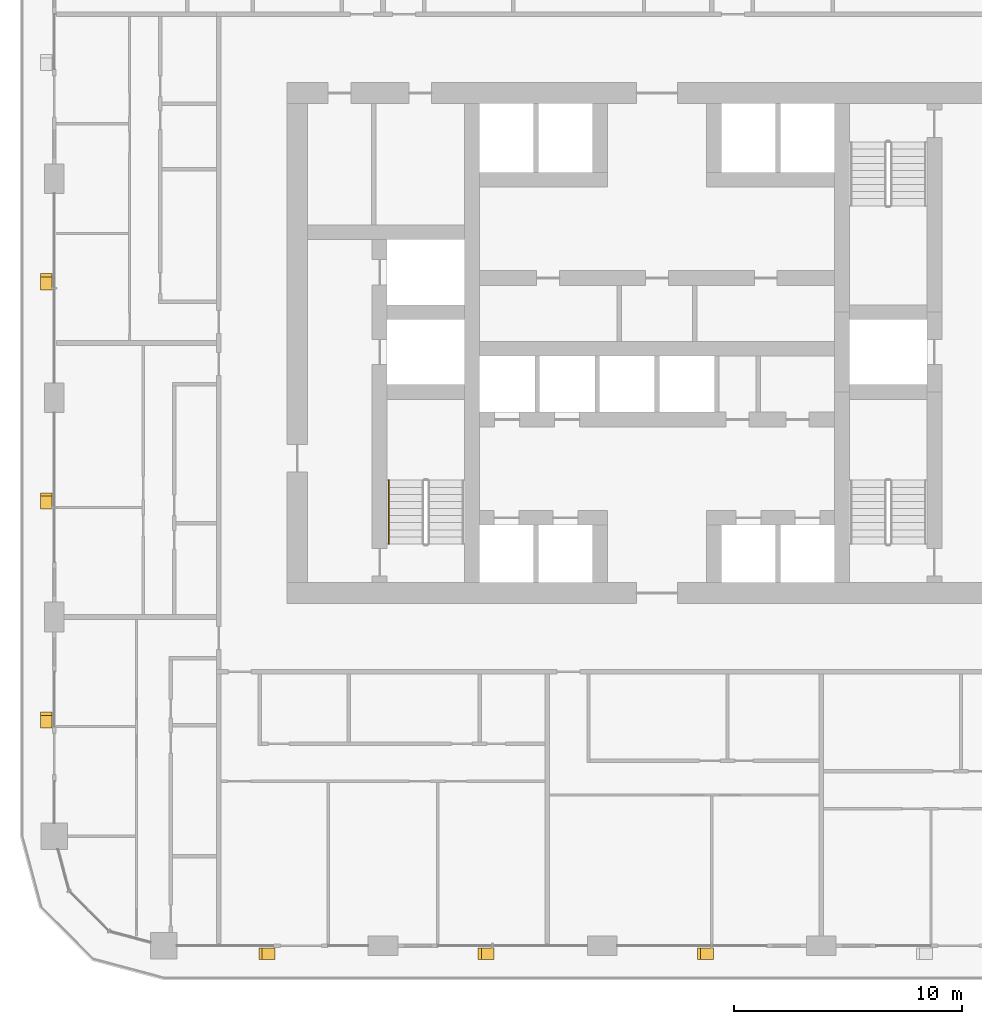
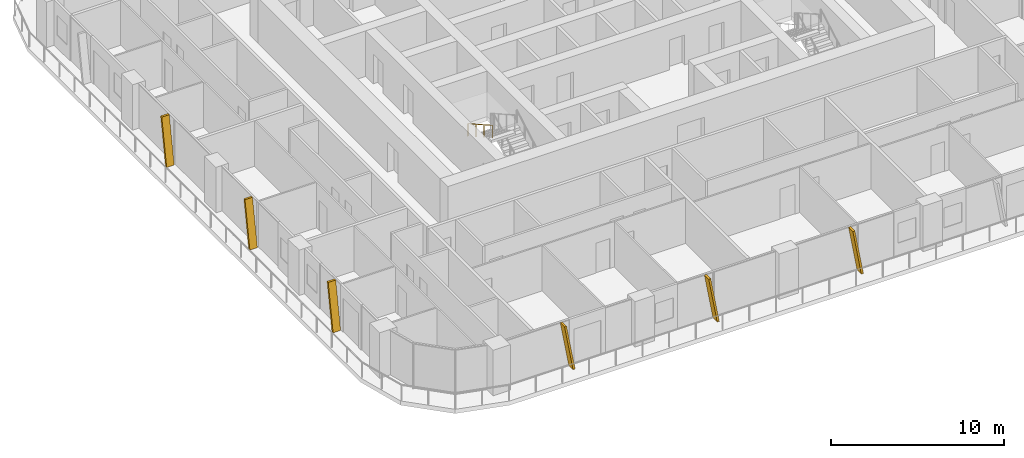
# One storey, part 17 of 22: 6 shading devices, 1 railing.
"""IFC4 building model written with IfcOpenShell, lengths in metres."""

from ifc_helpers import new_model, si_unit, direction, frame, origin, origin_2d, place, context, subcontext, project, spatial, polyline, circle, outline, extrude, material, type_object, element, save


model = new_model("IFC4")

# Units and contexts
model_context = context("Model", 3, precision=1e-05, world=origin(), true_north=direction((0.0, 1.0)))
body_context = subcontext(model_context, "Body", "Model", "MODEL_VIEW")
ifc_project = project(units=[si_unit("LENGTHUNIT", "METRE"), si_unit("AREAUNIT", "SQUARE_METRE"), si_unit("VOLUMEUNIT", "CUBIC_METRE"), si_unit("PLANEANGLEUNIT", "RADIAN"), si_unit("MASSUNIT", "GRAM", prefix="KILO")], contexts=[model_context])

# Site, building, storey
site_placement = place(None, origin())
site = spatial("IfcSite", under=ifc_project, at=site_placement, CompositionType="ELEMENT")
building_placement = place(site_placement, origin())
building = spatial("IfcBuilding", under=site, at=building_placement, Name="Madar Terraces", CompositionType="ELEMENT")
storey_placement = place(building_placement, frame((0.0, 0.0, 76.800048828125)))
storey = spatial("IfcBuildingStorey", under=building, at=storey_placement, Name="L19", CompositionType="ELEMENT", Elevation=76.800048828125)

# Shading devices
ifc_material_1 = material(Name="Aluminium, black anodised", Category="aluminium")
shading_device_type = type_object("IfcShadingDeviceType", Name="Facade fin blade 140 x 500", PredefinedType="USERDEFINED", material=ifc_material_1)
shading_device_1_placement = place(storey_placement, frame((14.330078125, -0.35009765625, 0.0), z_axis=(0.0, 0.0, 1.0), x_axis=(1.0, 0.0, 0.0)))
element("IfcShadingDevice", 1, at=shading_device_1_placement, inside=storey, type_object=shading_device_type, Name="FIN L19 S1", ObjectType="FIN", PredefinedType="USERDEFINED", context=body_context, shape_type="SweptSolid", body=[
    extrude(outline(polyline([(0.0, 0.0), (0.139892578125, 0.0), (-0.42431640625, 3.199951171875), (-0.564208984375, 3.199951171875), (0.0, 0.0)])), frame((0.0, 0.25, 0.0), z_axis=(0.0, -1.0, 0.0), x_axis=(1.0, 0.0, 0.0)), (0.0, 0.0, 1.0), 0.5),
])
shading_device_2_placement = place(storey_placement, frame((23.929931640625, -0.35009765625, 0.0), z_axis=(0.0, 0.0, 1.0), x_axis=(1.0, 0.0, 0.0)))
element("IfcShadingDevice", 2, at=shading_device_2_placement, inside=storey, type_object=shading_device_type, Name="FIN L19 S2", ObjectType="FIN", PredefinedType="USERDEFINED", context=body_context, shape_type="SweptSolid", body=[
    extrude(outline(polyline([(0.0, 0.0), (0.14013671875, 0.0), (-0.42431640625, 3.199951171875), (-0.564208984375, 3.199951171875), (0.0, 0.0)])), frame((0.0, 0.25, 0.0), z_axis=(0.0, -1.0, 0.0), x_axis=(1.0, 0.0, 0.0)), (0.0, 0.0, 1.0), 0.5),
])
shading_device_3_placement = place(storey_placement, frame((33.530029296875, -0.35009765625, 0.0), z_axis=(0.0, 0.0, 1.0), x_axis=(1.0, 0.0, 0.0)))
element("IfcShadingDevice", 3, at=shading_device_3_placement, inside=storey, type_object=shading_device_type, Name="FIN L19 S3", ObjectType="FIN", PredefinedType="USERDEFINED", context=body_context, shape_type="SweptSolid", body=[
    extrude(outline(polyline([(0.0, 0.0), (0.139892578125, 0.0), (-0.42431640625, 3.199951171875), (-0.564208984375, 3.199951171875), (0.0, 0.0)])), frame((0.0, 0.25, 0.0), z_axis=(0.0, -1.0, 0.0), x_axis=(1.0, 0.0, 0.0)), (0.0, 0.0, 1.0), 0.5),
])
for number, where, z_axis, x_axis, name in (
    (4, (4.449951171875, 28.8701171875, 0.0), (0.0, 0.0, 1.0), (0.0, -1.0, 0.0), "FIN L19 W2"),
    (5, (4.449951171875, 19.27001953125, 0.0), (0.0, 0.0, 1.0), (0.0, -1.0, 0.0), "FIN L19 W3"),
):
    element("IfcShadingDevice", number, at=place(storey_placement, frame(where, z_axis=z_axis, x_axis=x_axis)), inside=storey, type_object=shading_device_type, Name=name, ObjectType="FIN", PredefinedType="USERDEFINED", context=body_context, shape_type="SweptSolid", body=[
        extrude(outline(polyline([(0.0, 0.0), (0.14013671875, 0.0), (-0.42431640625, 3.199951171875), (-0.564208984375, 3.199951171875), (0.0, 0.0)])), frame((0.0, 0.25, 0.0), z_axis=(0.0, -1.0, 0.0), x_axis=(1.0, 0.0, 0.0)), (0.0, 0.0, 1.0), 0.5),
    ])
shading_device_4_placement = place(storey_placement, frame((4.449951171875, 9.669921875, 0.0), z_axis=(0.0, 0.0, 1.0), x_axis=(0.0, -1.0, 0.0)))
element("IfcShadingDevice", 6, at=shading_device_4_placement, inside=storey, type_object=shading_device_type, Name="FIN L19 W4", ObjectType="FIN", PredefinedType="USERDEFINED", context=body_context, shape_type="SweptSolid", body=[
    extrude(outline(polyline([(0.0, 0.0), (0.139892578125, 0.0), (-0.42431640625, 3.199951171875), (-0.564208984375, 3.199951171875), (0.0, 0.0)])), frame((0.0, 0.25, 0.0), z_axis=(0.0, -1.0, 0.0), x_axis=(1.0, 0.0, 0.0)), (0.0, 0.0, 1.0), 0.5),
])

# Railing
ifc_material_2 = material(Name="Stainless steel railing", Category="steel")
railing_type = type_object("IfcRailingType", Name="Stair handrail 900", PredefinedType="HANDRAIL", material=ifc_material_2)
railing_placement = place(storey_placement, frame((19.449951171875, 20.389892578125, 1.925048828125)))
element("IfcRailing", 7, at=railing_placement, inside=storey, type_object=railing_type, Name="L19 ST1 stair handrail 2", PredefinedType="HANDRAIL", context=body_context, shape_type="SweptSolid", body=[
    extrude(circle(Radius=0.02392578125, at=origin_2d()), frame((0.0, 0.0, 0.8759765625), z_axis=(0.0, -0.870815363784, 0.491610213684), x_axis=(1.0, 0.0, 0.0)), (0.0, 0.0, 1.0), 3.20361328125),
    extrude(circle(Radius=0.02099609375, at=origin_2d()), origin(), (0.0, 0.0, 1.0), 0.851806640625),
    extrude(circle(Radius=0.02099609375, at=origin_2d()), frame((0.0, -0.929931640625, 0.52490234375)), (0.0, 0.0, 1.0), 0.851806640625),
    extrude(circle(Radius=0.02099609375, at=origin_2d()), frame((0.0, -1.85986328125, 1.050048828125)), (0.0, 0.0, 1.0), 0.851806640625),
    extrude(circle(Radius=0.02099609375, at=origin_2d()), frame((0.0, -2.789794921875, 1.574951171875)), (0.0, 0.0, 1.0), 0.851806640625),
])

save(model, "model.ifc")
